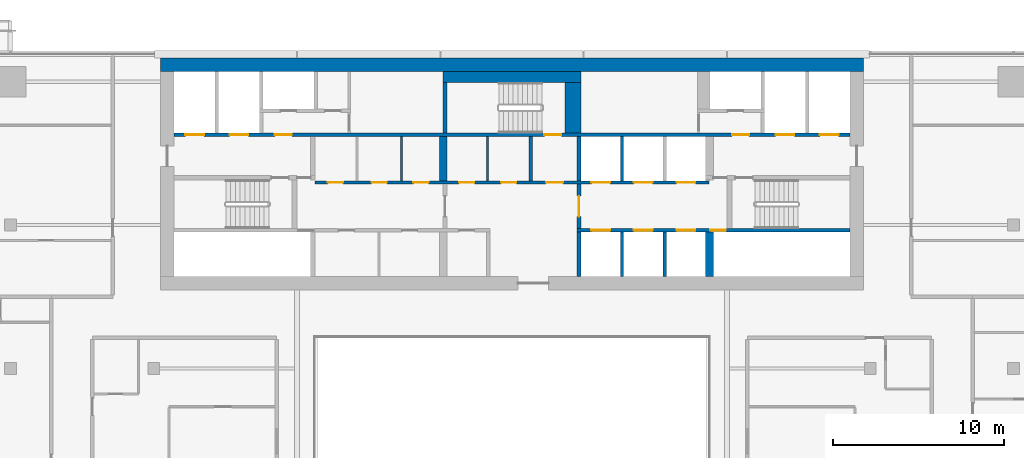
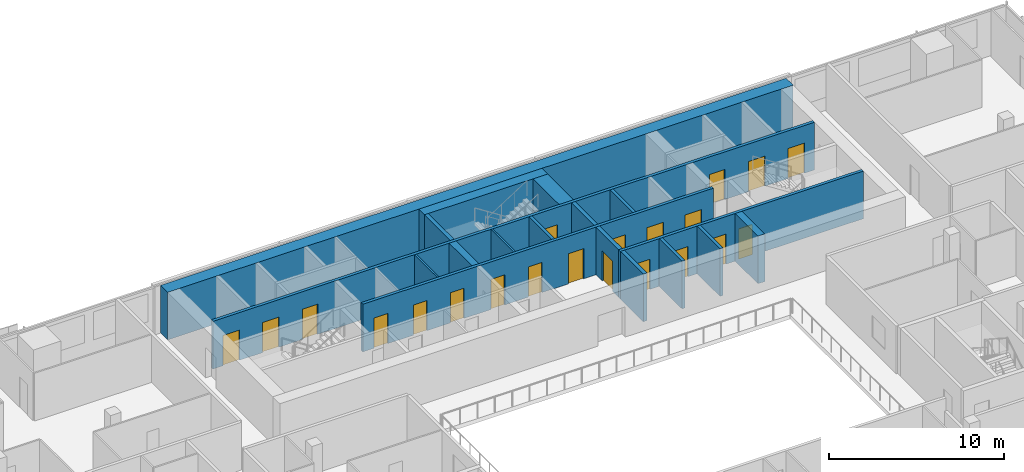
# One storey, part 22 of 30: 21 doors, 18 walls, 21 openings.
"""IFC4 building model written with IfcOpenShell, lengths in metres."""

from ifc_helpers import new_model, si_unit, direction, frame, frame_2d, origin, place, context, subcontext, project, spatial, rectangle, extrude, material, layer, layer_set, type_object, element, fill, save


model = new_model("IFC4")

# Units and contexts
model_context = context("Model", 3, precision=1e-05, world=origin(), true_north=direction((0.0, 1.0)))
body_context = subcontext(model_context, "Body", "Model", "MODEL_VIEW")
ifc_project = project(units=[si_unit("LENGTHUNIT", "METRE"), si_unit("AREAUNIT", "SQUARE_METRE"), si_unit("VOLUMEUNIT", "CUBIC_METRE"), si_unit("PLANEANGLEUNIT", "RADIAN"), si_unit("MASSUNIT", "GRAM", prefix="KILO")], contexts=[model_context])

# Site, building, storey
site_placement = place(None, origin())
site = spatial("IfcSite", under=ifc_project, at=site_placement, CompositionType="ELEMENT")
building_placement = place(site_placement, origin())
building = spatial("IfcBuilding", under=site, at=building_placement, Name="Saffron Gate Tower", CompositionType="ELEMENT")
storey_placement = place(building_placement, frame((0.0, 0.0, 179.85009765625)))
storey = spatial("IfcBuildingStorey", under=building, at=storey_placement, Name="L44", CompositionType="ELEMENT", Elevation=179.85009765625)

# Walls
ifc_material_1 = material(Name="Gypsum board partition on steel studs", Category="steel")
ifc_layer_1 = layer(ifc_material_1, 0.199951171875)
ifc_layer_set_1 = layer_set([ifc_layer_1], Name="CW10 Core partition 200")
wall_type_1 = type_object("IfcWallType", Name="CW10 Core partition 200", PredefinedType="PARTITIONING", material=ifc_layer_set_1)
wall_1_placement = place(storey_placement, frame((88.699951171875, 68.0, 0.0), z_axis=(0.0, 0.0, 1.0), x_axis=(0.0, 1.0, 0.0)))
element("IfcWall", 1, at=wall_1_placement, inside=storey, type_object=wall_type_1, Name="Wall CW10-L44-24", PredefinedType="PARTITIONING", context=body_context, shape_type="SweptSolid", body=[
    extrude(rectangle(XDim=2.60009765625, YDim=0.199951171875, at=frame_2d((1.300048828125, 0.0))), origin(), (0.0, 0.0, 1.0), 3.31982421875),
])
ifc_material_2 = material(Name="Concrete C60", Category="concrete")
ifc_layer_2 = layer(ifc_material_2, 0.800048828125)
ifc_layer_set_2 = layer_set([ifc_layer_2], Name="CW13 RC core wall 800 C60")
wall_type_2 = type_object("IfcWallType", Name="CW13 RC core wall 800 C60", PredefinedType="SOLIDWALL", material=ifc_layer_set_2)
wall_2_placement = place(storey_placement, frame((67.0, 74.800048828125, 0.0), z_axis=(0.0, 0.0, 1.0), x_axis=(1.0, 0.0, 0.0)))
element("IfcWall", 2, at=wall_2_placement, inside=storey, type_object=wall_type_2, Name="Wall CW13-L44-2", PredefinedType="SOLIDWALL", context=body_context, shape_type="SweptSolid", body=[
    extrude(rectangle(XDim=41.199951171875, YDim=0.800048828125, at=frame_2d((20.60009765625, 0.0))), origin(), (0.0, 0.0, 1.0), 3.31982421875),
])
ifc_layer_3 = layer(ifc_material_2, 0.25)
ifc_layer_set_3 = layer_set([ifc_layer_3], Name="CW14 RC core wall 250 C60")
wall_type_3 = type_object("IfcWallType", Name="CW14 RC core wall 250 C60", PredefinedType="SOLIDWALL", material=ifc_layer_set_3)
wall_3_placement = place(storey_placement, frame((91.52490234375, 62.39990234375, 0.0), z_axis=(0.0, 0.0, 1.0), x_axis=(0.0, 1.0, 0.0)))
element("IfcWall", 3, at=wall_3_placement, inside=storey, type_object=wall_type_3, Name="Wall CW14-L44-9", PredefinedType="SOLIDWALL", context=body_context, shape_type="SweptSolid", body=[
    extrude(rectangle(XDim=2.60009765625, YDim=0.25, at=frame_2d((1.300048828125, 0.0))), origin(), (0.0, 0.0, 1.0), 3.31982421875),
])

# Wall, opening, door
wall_4_placement = place(storey_placement, frame((91.52490234375, 65.199951171875, 0.0), z_axis=(0.0, 0.0, 1.0), x_axis=(0.0, 1.0, 0.0)))
wall_4 = element("IfcWall", 4, at=wall_4_placement, inside=storey, type_object=wall_type_3, Name="Wall CW14-L44-17", PredefinedType="SOLIDWALL", context=body_context, shape_type="SweptSolid", body=[
    extrude(rectangle(XDim=2.60009765625, YDim=0.25, at=frame_2d((1.300048828125, 0.0))), origin(), (0.0, 0.0, 1.0), 3.31982421875),
])
opening_1_placement = place(wall_4_placement, frame((0.699951171875, 0.0, 0.0)))
opening_1 = element("IfcOpeningElement", 5, at=opening_1_placement, cuts=wall_4, Name="Opening CR-01", PredefinedType="OPENING", context=body_context, shape_type="SweptSolid", body=[
    extrude(rectangle(XDim=1.199951171875, YDim=2.10009765625, at=frame_2d((0.60009765625, 1.050048828125))), frame((0.0, 0.135009765625, 0.0), z_axis=(0.0, -1.0, 0.0), x_axis=(1.0, 0.0, 0.0)), (0.0, 0.0, 1.0), 0.27001953125),
])
ifc_material_3 = material(Name="Steel fire door set", Category="steel")
door_type_1 = type_object("IfcDoorType", Name="CD3 Lobby door 1200x2100 EI 120", OperationType="NOTDEFINED", PredefinedType="DOOR", material=ifc_material_3)
door_1_placement = place(opening_1_placement, origin())
door_1 = element("IfcDoor", 6, at=door_1_placement, inside=storey, type_object=door_type_1, Name="DOOR CR-01", OperationType="SINGLE_SWING_RIGHT", OverallHeight=2.10009765625, OverallWidth=1.199951171875, PredefinedType="DOOR", context=body_context, shape_type="SweptSolid", body=[
    extrude(rectangle(XDim=1.199951171875, YDim=2.10009765625, at=frame_2d((0.60009765625, 1.050048828125))), frame((0.0, 0.02490234375, 0.0), z_axis=(0.0, -1.0, 0.0), x_axis=(1.0, 0.0, 0.0)), (0.0, 0.0, 1.0), 0.050048828125),
])
fill(opening_1, door_1)

# Walls
wall_5_placement = place(storey_placement, frame((91.52490234375, 68.0, 0.0), z_axis=(0.0, 0.0, 1.0), x_axis=(0.0, 1.0, 0.0)))
element("IfcWall", 7, at=wall_5_placement, inside=storey, type_object=wall_type_3, Name="Wall CW14-L44-25", PredefinedType="SOLIDWALL", context=body_context, shape_type="SweptSolid", body=[
    extrude(rectangle(XDim=2.60009765625, YDim=0.25, at=frame_2d((1.300048828125, 0.0))), origin(), (0.0, 0.0, 1.0), 3.31982421875),
])
wall_6_placement = place(storey_placement, frame((83.675048828125, 70.800048828125, 0.0), z_axis=(0.0, 0.0, 1.0), x_axis=(0.0, 1.0, 0.0)))
element("IfcWall", 8, at=wall_6_placement, inside=storey, type_object=wall_type_3, Name="Wall CW14-L44-37", PredefinedType="SOLIDWALL", context=body_context, shape_type="SweptSolid", body=[
    extrude(rectangle(XDim=2.949951171875, YDim=0.25, at=frame_2d((1.47509765625, 0.0))), origin(), (0.0, 0.0, 1.0), 3.31982421875),
])
ifc_layer_4 = layer(ifc_material_2, 0.199951171875)
ifc_layer_set_4 = layer_set([ifc_layer_4], Name="CW15 RC core wall 200 C60")
wall_type_4 = type_object("IfcWallType", Name="CW15 RC core wall 200 C60", PredefinedType="SOLIDWALL", material=ifc_layer_set_4)
for number, where, z_axis, x_axis, name in (
    (9, (94.050048828125, 62.39990234375, 0.0), (0.0, 0.0, 1.0), (0.0, 1.0, 0.0), "Wall CW15-L44-10"),
    (10, (96.550048828125, 62.39990234375, 0.0), (0.0, 0.0, 1.0), (0.0, 1.0, 0.0), "Wall CW15-L44-11"),
):
    element("IfcWall", number, at=place(storey_placement, frame(where, z_axis=z_axis, x_axis=x_axis)), inside=storey, type_object=wall_type_4, Name=name, PredefinedType="SOLIDWALL", context=body_context, shape_type="SweptSolid", body=[
        extrude(rectangle(XDim=2.60009765625, YDim=0.199951171875, at=frame_2d((1.300048828125, 0.0))), origin(), (0.0, 0.0, 1.0), 3.31982421875),
    ])

# Wall, openings, doors
wall_7_placement = place(storey_placement, frame((91.39990234375, 65.10009765625, 0.0), z_axis=(0.0, 0.0, 1.0), x_axis=(1.0, 0.0, 0.0)))
wall_7 = element("IfcWall", 11, at=wall_7_placement, inside=storey, type_object=wall_type_4, Name="Wall CW15-L44-14", PredefinedType="SOLIDWALL", context=body_context, shape_type="SweptSolid", body=[
    extrude(rectangle(XDim=16.0, YDim=0.199951171875, at=frame_2d((8.0, 0.0))), origin(), (0.0, 0.0, 1.0), 3.31982421875),
])
opening_2_placement = place(wall_7_placement, frame((0.85009765625, 0.0, 0.0)))
opening_2 = element("IfcOpeningElement", 12, at=opening_2_placement, cuts=wall_7, Name="Opening LD-HR1", PredefinedType="OPENING", context=body_context, shape_type="SweptSolid", body=[
    extrude(rectangle(XDim=1.10009765625, YDim=2.10009765625, at=frame_2d((0.550048828125, 1.050048828125))), frame((0.0, 0.10986328125, 0.0), z_axis=(0.0, -1.0, 0.0), x_axis=(1.0, 0.0, 0.0)), (0.0, 0.0, 1.0), 0.219970703125),
])
opening_3_placement = place(wall_7_placement, frame((3.35009765625, 0.0, 0.0)))
opening_3 = element("IfcOpeningElement", 13, at=opening_3_placement, cuts=wall_7, Name="Opening LD-HR2", PredefinedType="OPENING", context=body_context, shape_type="SweptSolid", body=[
    extrude(rectangle(XDim=1.10009765625, YDim=2.10009765625, at=frame_2d((0.550048828125, 1.050048828125))), frame((0.0, 0.10986328125, 0.0), z_axis=(0.0, -1.0, 0.0), x_axis=(1.0, 0.0, 0.0)), (0.0, 0.0, 1.0), 0.219970703125),
])
opening_4_placement = place(wall_7_placement, frame((5.85009765625, 0.0, 0.0)))
opening_4 = element("IfcOpeningElement", 14, at=opening_4_placement, cuts=wall_7, Name="Opening LD-HR3", PredefinedType="OPENING", context=body_context, shape_type="SweptSolid", body=[
    extrude(rectangle(XDim=1.10009765625, YDim=2.10009765625, at=frame_2d((0.550048828125, 1.050048828125))), frame((0.0, 0.10986328125, 0.0), z_axis=(0.0, -1.0, 0.0), x_axis=(1.0, 0.0, 0.0)), (0.0, 0.0, 1.0), 0.219970703125),
])
opening_5_placement = place(wall_7_placement, frame((7.830078125, 0.0, 0.0)))
opening_5 = element("IfcOpeningElement", 15, at=opening_5_placement, cuts=wall_7, Name="Opening CR-48", PredefinedType="OPENING", context=body_context, shape_type="SweptSolid", body=[
    extrude(rectangle(XDim=0.89990234375, YDim=2.10009765625, at=frame_2d((0.449951171875, 1.050048828125))), frame((0.0, 0.10986328125, 0.0), z_axis=(0.0, -1.0, 0.0), x_axis=(1.0, 0.0, 0.0)), (0.0, 0.0, 1.0), 0.219970703125),
])
door_type_2 = type_object("IfcDoorType", Name="CD2 Riser door 900x2100 EI 60", OperationType="NOTDEFINED", PredefinedType="DOOR", material=ifc_material_3)
door_2_placement = place(opening_5_placement, origin())
door_2 = element("IfcDoor", 16, at=door_2_placement, inside=storey, type_object=door_type_2, Name="DOOR CR-48", OperationType="SINGLE_SWING_RIGHT", OverallHeight=2.10009765625, OverallWidth=0.89990234375, PredefinedType="DOOR", context=body_context, shape_type="SweptSolid", body=[
    extrude(rectangle(XDim=0.89990234375, YDim=2.10009765625, at=frame_2d((0.449951171875, 1.050048828125))), frame((0.0, 0.02490234375, 0.0), z_axis=(0.0, -1.0, 0.0), x_axis=(1.0, 0.0, 0.0)), (0.0, 0.0, 1.0), 0.050048828125),
])
fill(opening_5, door_2)
ifc_material_4 = material(Name="Stainless steel landing door", Category="steel")
door_type_3 = type_object("IfcDoorType", Name="LD Lift landing door 1100x2100 EI 120", OperationType="SLIDING_TO_LEFT", PredefinedType="DOOR", material=ifc_material_4)
door_3_placement = place(opening_2_placement, origin())
door_3 = element("IfcDoor", 17, at=door_3_placement, inside=storey, type_object=door_type_3, Name="LANDING DOOR LD-HR1", OperationType="SLIDING_TO_LEFT", OverallHeight=2.10009765625, OverallWidth=1.10009765625, PredefinedType="DOOR", context=body_context, shape_type="SweptSolid", body=[
    extrude(rectangle(XDim=1.10009765625, YDim=2.10009765625, at=frame_2d((0.550048828125, 1.050048828125))), frame((0.0, 0.02490234375, 0.0), z_axis=(0.0, -1.0, 0.0), x_axis=(1.0, 0.0, 0.0)), (0.0, 0.0, 1.0), 0.050048828125),
])
fill(opening_2, door_3)
door_4_placement = place(opening_3_placement, origin())
door_4 = element("IfcDoor", 18, at=door_4_placement, inside=storey, type_object=door_type_3, Name="LANDING DOOR LD-HR2", OperationType="SLIDING_TO_LEFT", OverallHeight=2.10009765625, OverallWidth=1.10009765625, PredefinedType="DOOR", context=body_context, shape_type="SweptSolid", body=[
    extrude(rectangle(XDim=1.10009765625, YDim=2.10009765625, at=frame_2d((0.550048828125, 1.050048828125))), frame((0.0, 0.02490234375, 0.0), z_axis=(0.0, -1.0, 0.0), x_axis=(1.0, 0.0, 0.0)), (0.0, 0.0, 1.0), 0.050048828125),
])
fill(opening_3, door_4)
door_5_placement = place(opening_4_placement, origin())
door_5 = element("IfcDoor", 19, at=door_5_placement, inside=storey, type_object=door_type_3, Name="LANDING DOOR LD-HR3", OperationType="SLIDING_TO_LEFT", OverallHeight=2.10009765625, OverallWidth=1.10009765625, PredefinedType="DOOR", context=body_context, shape_type="SweptSolid", body=[
    extrude(rectangle(XDim=1.10009765625, YDim=2.10009765625, at=frame_2d((0.550048828125, 1.050048828125))), frame((0.0, 0.02490234375, 0.0), z_axis=(0.0, -1.0, 0.0), x_axis=(1.0, 0.0, 0.0)), (0.0, 0.0, 1.0), 0.050048828125),
])
fill(opening_4, door_5)

wall_8_placement = place(storey_placement, frame((76.050048828125, 67.89990234375, 0.0), z_axis=(0.0, 0.0, 1.0), x_axis=(1.0, 0.0, 0.0)))
wall_8 = element("IfcWall", 20, at=wall_8_placement, inside=storey, type_object=wall_type_4, Name="Wall CW15-L44-19", PredefinedType="SOLIDWALL", context=body_context, shape_type="SweptSolid", body=[
    extrude(rectangle(XDim=23.099853515625, YDim=0.199951171875, at=frame_2d((11.5498046875, 0.0))), origin(), (0.0, 0.0, 1.0), 3.31982421875),
])
opening_6_placement = place(wall_8_placement, frame((0.75, 0.0, 0.0)))
opening_6 = element("IfcOpeningElement", 21, at=opening_6_placement, cuts=wall_8, Name="Opening CR-61", PredefinedType="OPENING", context=body_context, shape_type="SweptSolid", body=[
    extrude(rectangle(XDim=0.89990234375, YDim=2.10009765625, at=frame_2d((0.449951171875, 1.050048828125))), frame((0.0, 0.10986328125, 0.0), z_axis=(0.0, -1.0, 0.0), x_axis=(1.0, 0.0, 0.0)), (0.0, 0.0, 1.0), 0.219970703125),
])
opening_7_placement = place(wall_8_placement, frame((3.320068359375, 0.0, 0.0)))
opening_7 = element("IfcOpeningElement", 22, at=opening_7_placement, cuts=wall_8, Name="Opening CR-62", PredefinedType="OPENING", context=body_context, shape_type="SweptSolid", body=[
    extrude(rectangle(XDim=0.89990234375, YDim=2.10009765625, at=frame_2d((0.449951171875, 1.050048828125))), frame((0.0, 0.10986328125, 0.0), z_axis=(0.0, -1.0, 0.0), x_axis=(1.0, 0.0, 0.0)), (0.0, 0.0, 1.0), 0.219970703125),
])
opening_8_placement = place(wall_8_placement, frame((5.77001953125, 0.0, 0.0)))
opening_8 = element("IfcOpeningElement", 23, at=opening_8_placement, cuts=wall_8, Name="Opening CR-63", PredefinedType="OPENING", context=body_context, shape_type="SweptSolid", body=[
    extrude(rectangle(XDim=0.89990234375, YDim=2.10009765625, at=frame_2d((0.449951171875, 1.050048828125))), frame((0.0, 0.10986328125, 0.0), z_axis=(0.0, -1.0, 0.0), x_axis=(1.0, 0.0, 0.0)), (0.0, 0.0, 1.0), 0.219970703125),
])
opening_9_placement = place(wall_8_placement, frame((8.449951171875, 0.0, 0.0)))
opening_9 = element("IfcOpeningElement", 24, at=opening_9_placement, cuts=wall_8, Name="Opening CR-67", PredefinedType="OPENING", context=body_context, shape_type="SweptSolid", body=[
    extrude(rectangle(XDim=0.89990234375, YDim=2.10009765625, at=frame_2d((0.449951171875, 1.050048828125))), frame((0.0, 0.10986328125, 0.0), z_axis=(0.0, -1.0, 0.0), x_axis=(1.0, 0.0, 0.0)), (0.0, 0.0, 1.0), 0.219970703125),
])
opening_10_placement = place(wall_8_placement, frame((10.909912109375, 0.0, 0.0)))
opening_10 = element("IfcOpeningElement", 25, at=opening_10_placement, cuts=wall_8, Name="Opening CR-68", PredefinedType="OPENING", context=body_context, shape_type="SweptSolid", body=[
    extrude(rectangle(XDim=0.89990234375, YDim=2.10009765625, at=frame_2d((0.449951171875, 1.050048828125))), frame((0.0, 0.10986328125, 0.0), z_axis=(0.0, -1.0, 0.0), x_axis=(1.0, 0.0, 0.0)), (0.0, 0.0, 1.0), 0.219970703125),
])
opening_11_placement = place(wall_8_placement, frame((13.550048828125, 0.0, 0.0)))
opening_11 = element("IfcOpeningElement", 26, at=opening_11_placement, cuts=wall_8, Name="Opening CR-02", PredefinedType="OPENING", context=body_context, shape_type="SweptSolid", body=[
    extrude(rectangle(XDim=1.0, YDim=2.10009765625, at=frame_2d((0.5, 1.050048828125))), frame((0.0, 0.10986328125, 0.0), z_axis=(0.0, -1.0, 0.0), x_axis=(1.0, 0.0, 0.0)), (0.0, 0.0, 1.0), 0.219970703125),
])
opening_12_placement = place(wall_8_placement, frame((16.199951171875, 0.0, 0.0)))
opening_12 = element("IfcOpeningElement", 27, at=opening_12_placement, cuts=wall_8, Name="Opening LD-HR4", PredefinedType="OPENING", context=body_context, shape_type="SweptSolid", body=[
    extrude(rectangle(XDim=1.10009765625, YDim=2.10009765625, at=frame_2d((0.550048828125, 1.050048828125))), frame((0.0, 0.10986328125, 0.0), z_axis=(0.0, -1.0, 0.0), x_axis=(1.0, 0.0, 0.0)), (0.0, 0.0, 1.0), 0.219970703125),
])
opening_13_placement = place(wall_8_placement, frame((18.699951171875, 0.0, 0.0)))
opening_13 = element("IfcOpeningElement", 28, at=opening_13_placement, cuts=wall_8, Name="Opening LD-HR5", PredefinedType="OPENING", context=body_context, shape_type="SweptSolid", body=[
    extrude(rectangle(XDim=1.10009765625, YDim=2.10009765625, at=frame_2d((0.550048828125, 1.050048828125))), frame((0.0, 0.10986328125, 0.0), z_axis=(0.0, -1.0, 0.0), x_axis=(1.0, 0.0, 0.0)), (0.0, 0.0, 1.0), 0.219970703125),
])
opening_14_placement = place(wall_8_placement, frame((21.199951171875, 0.0, 0.0)))
opening_14 = element("IfcOpeningElement", 29, at=opening_14_placement, cuts=wall_8, Name="Opening LD-HR6", PredefinedType="OPENING", context=body_context, shape_type="SweptSolid", body=[
    extrude(rectangle(XDim=1.10009765625, YDim=2.10009765625, at=frame_2d((0.550048828125, 1.050048828125))), frame((0.0, 0.10986328125, 0.0), z_axis=(0.0, -1.0, 0.0), x_axis=(1.0, 0.0, 0.0)), (0.0, 0.0, 1.0), 0.219970703125),
])
door_type_4 = type_object("IfcDoorType", Name="CD4 Lobby door 1000x2100 EI 120", OperationType="NOTDEFINED", PredefinedType="DOOR", material=ifc_material_3)
door_6_placement = place(opening_11_placement, origin())
door_6 = element("IfcDoor", 30, at=door_6_placement, inside=storey, type_object=door_type_4, Name="DOOR CR-02", OperationType="SINGLE_SWING_LEFT", OverallHeight=2.10009765625, OverallWidth=1.0, PredefinedType="DOOR", context=body_context, shape_type="SweptSolid", body=[
    extrude(rectangle(XDim=1.0, YDim=2.10009765625, at=frame_2d((0.5, 1.050048828125))), frame((0.0, 0.02490234375, 0.0), z_axis=(0.0, -1.0, 0.0), x_axis=(1.0, 0.0, 0.0)), (0.0, 0.0, 1.0), 0.050048828125),
])
fill(opening_11, door_6)
door_type_5 = type_object("IfcDoorType", Name="CD9 Room door 900x2100 EI 60", OperationType="NOTDEFINED", PredefinedType="DOOR", material=ifc_material_3)
door_7_placement = place(opening_6_placement, origin())
door_7 = element("IfcDoor", 31, at=door_7_placement, inside=storey, type_object=door_type_5, Name="DOOR CR-61", OperationType="SINGLE_SWING_LEFT", OverallHeight=2.10009765625, OverallWidth=0.89990234375, PredefinedType="DOOR", context=body_context, shape_type="SweptSolid", body=[
    extrude(rectangle(XDim=0.89990234375, YDim=2.10009765625, at=frame_2d((0.449951171875, 1.050048828125))), frame((0.0, 0.02490234375, 0.0), z_axis=(0.0, -1.0, 0.0), x_axis=(1.0, 0.0, 0.0)), (0.0, 0.0, 1.0), 0.050048828125),
])
fill(opening_6, door_7)
door_8_placement = place(opening_7_placement, origin())
door_8 = element("IfcDoor", 32, at=door_8_placement, inside=storey, type_object=door_type_5, Name="DOOR CR-62", OperationType="SINGLE_SWING_LEFT", OverallHeight=2.10009765625, OverallWidth=0.89990234375, PredefinedType="DOOR", context=body_context, shape_type="SweptSolid", body=[
    extrude(rectangle(XDim=0.89990234375, YDim=2.10009765625, at=frame_2d((0.449951171875, 1.050048828125))), frame((0.0, 0.02490234375, 0.0), z_axis=(0.0, -1.0, 0.0), x_axis=(1.0, 0.0, 0.0)), (0.0, 0.0, 1.0), 0.050048828125),
])
fill(opening_7, door_8)
door_9_placement = place(opening_8_placement, origin())
door_9 = element("IfcDoor", 33, at=door_9_placement, inside=storey, type_object=door_type_5, Name="DOOR CR-63", OperationType="SINGLE_SWING_LEFT", OverallHeight=2.10009765625, OverallWidth=0.89990234375, PredefinedType="DOOR", context=body_context, shape_type="SweptSolid", body=[
    extrude(rectangle(XDim=0.89990234375, YDim=2.10009765625, at=frame_2d((0.449951171875, 1.050048828125))), frame((0.0, 0.02490234375, 0.0), z_axis=(0.0, -1.0, 0.0), x_axis=(1.0, 0.0, 0.0)), (0.0, 0.0, 1.0), 0.050048828125),
])
fill(opening_8, door_9)
door_10_placement = place(opening_9_placement, origin())
door_10 = element("IfcDoor", 34, at=door_10_placement, inside=storey, type_object=door_type_5, Name="DOOR CR-67", OperationType="SINGLE_SWING_LEFT", OverallHeight=2.10009765625, OverallWidth=0.89990234375, PredefinedType="DOOR", context=body_context, shape_type="SweptSolid", body=[
    extrude(rectangle(XDim=0.89990234375, YDim=2.10009765625, at=frame_2d((0.449951171875, 1.050048828125))), frame((0.0, 0.02490234375, 0.0), z_axis=(0.0, -1.0, 0.0), x_axis=(1.0, 0.0, 0.0)), (0.0, 0.0, 1.0), 0.050048828125),
])
fill(opening_9, door_10)
door_11_placement = place(opening_10_placement, origin())
door_11 = element("IfcDoor", 35, at=door_11_placement, inside=storey, type_object=door_type_5, Name="DOOR CR-68", OperationType="SINGLE_SWING_LEFT", OverallHeight=2.10009765625, OverallWidth=0.89990234375, PredefinedType="DOOR", context=body_context, shape_type="SweptSolid", body=[
    extrude(rectangle(XDim=0.89990234375, YDim=2.10009765625, at=frame_2d((0.449951171875, 1.050048828125))), frame((0.0, 0.02490234375, 0.0), z_axis=(0.0, -1.0, 0.0), x_axis=(1.0, 0.0, 0.0)), (0.0, 0.0, 1.0), 0.050048828125),
])
fill(opening_10, door_11)
door_12_placement = place(opening_12_placement, origin())
door_12 = element("IfcDoor", 36, at=door_12_placement, inside=storey, type_object=door_type_3, Name="LANDING DOOR LD-HR4", OperationType="SLIDING_TO_RIGHT", OverallHeight=2.10009765625, OverallWidth=1.10009765625, PredefinedType="DOOR", context=body_context, shape_type="SweptSolid", body=[
    extrude(rectangle(XDim=1.10009765625, YDim=2.10009765625, at=frame_2d((0.550048828125, 1.050048828125))), frame((0.0, 0.02490234375, 0.0), z_axis=(0.0, -1.0, 0.0), x_axis=(1.0, 0.0, 0.0)), (0.0, 0.0, 1.0), 0.050048828125),
])
fill(opening_12, door_12)
door_13_placement = place(opening_13_placement, origin())
door_13 = element("IfcDoor", 37, at=door_13_placement, inside=storey, type_object=door_type_3, Name="LANDING DOOR LD-HR5", OperationType="SLIDING_TO_RIGHT", OverallHeight=2.10009765625, OverallWidth=1.10009765625, PredefinedType="DOOR", context=body_context, shape_type="SweptSolid", body=[
    extrude(rectangle(XDim=1.10009765625, YDim=2.10009765625, at=frame_2d((0.550048828125, 1.050048828125))), frame((0.0, 0.02490234375, 0.0), z_axis=(0.0, -1.0, 0.0), x_axis=(1.0, 0.0, 0.0)), (0.0, 0.0, 1.0), 0.050048828125),
])
fill(opening_13, door_13)
door_14_placement = place(opening_14_placement, origin())
door_14 = element("IfcDoor", 38, at=door_14_placement, inside=storey, type_object=door_type_3, Name="LANDING DOOR LD-HR6", OperationType="SLIDING_TO_RIGHT", OverallHeight=2.10009765625, OverallWidth=1.10009765625, PredefinedType="DOOR", context=body_context, shape_type="SweptSolid", body=[
    extrude(rectangle(XDim=1.10009765625, YDim=2.10009765625, at=frame_2d((0.550048828125, 1.050048828125))), frame((0.0, 0.02490234375, 0.0), z_axis=(0.0, -1.0, 0.0), x_axis=(1.0, 0.0, 0.0)), (0.0, 0.0, 1.0), 0.050048828125),
])
fill(opening_14, door_14)

# Wall
wall_9_placement = place(storey_placement, frame((94.050048828125, 68.0, 0.0), z_axis=(0.0, 0.0, 1.0), x_axis=(0.0, 1.0, 0.0)))
element("IfcWall", 39, at=wall_9_placement, inside=storey, type_object=wall_type_4, Name="Wall CW15-L44-26", PredefinedType="SOLIDWALL", context=body_context, shape_type="SweptSolid", body=[
    extrude(rectangle(XDim=2.60009765625, YDim=0.199951171875, at=frame_2d((1.300048828125, 0.0))), origin(), (0.0, 0.0, 1.0), 3.31982421875),
])

# Wall, openings, doors
wall_10_placement = place(storey_placement, frame((67.800048828125, 70.699951171875, 0.0), z_axis=(0.0, 0.0, 1.0), x_axis=(1.0, 0.0, 0.0)))
wall_10 = element("IfcWall", 40, at=wall_10_placement, inside=storey, type_object=wall_type_4, Name="Wall CW15-L44-33", PredefinedType="SOLIDWALL", context=body_context, shape_type="SweptSolid", body=[
    extrude(rectangle(XDim=39.599853515625, YDim=0.199951171875, at=frame_2d((19.7998046875, 0.0))), origin(), (0.0, 0.0, 1.0), 3.31982421875),
])
opening_15_placement = place(wall_10_placement, frame((0.64990234375, 0.0, 0.0)))
opening_15 = element("IfcOpeningElement", 41, at=opening_15_placement, cuts=wall_10, Name="Opening LD-FF1", PredefinedType="OPENING", context=body_context, shape_type="SweptSolid", body=[
    extrude(rectangle(XDim=1.10009765625, YDim=2.10009765625, at=frame_2d((0.550048828125, 1.050048828125))), frame((0.0, 0.10986328125, 0.0), z_axis=(0.0, -1.0, 0.0), x_axis=(1.0, 0.0, 0.0)), (0.0, 0.0, 1.0), 0.219970703125),
])
opening_16_placement = place(wall_10_placement, frame((3.25, 0.0, 0.0)))
opening_16 = element("IfcOpeningElement", 42, at=opening_16_placement, cuts=wall_10, Name="Opening LD-SV1", PredefinedType="OPENING", context=body_context, shape_type="SweptSolid", body=[
    extrude(rectangle(XDim=1.10009765625, YDim=2.10009765625, at=frame_2d((0.550048828125, 1.050048828125))), frame((0.0, 0.10986328125, 0.0), z_axis=(0.0, -1.0, 0.0), x_axis=(1.0, 0.0, 0.0)), (0.0, 0.0, 1.0), 0.219970703125),
])
opening_17_placement = place(wall_10_placement, frame((5.89990234375, 0.0, 0.0)))
opening_17 = element("IfcOpeningElement", 43, at=opening_17_placement, cuts=wall_10, Name="Opening CR-03", PredefinedType="OPENING", context=body_context, shape_type="SweptSolid", body=[
    extrude(rectangle(XDim=1.0, YDim=2.10009765625, at=frame_2d((0.5, 1.050048828125))), frame((0.0, 0.10986328125, 0.0), z_axis=(0.0, -1.0, 0.0), x_axis=(1.0, 0.0, 0.0)), (0.0, 0.0, 1.0), 0.219970703125),
])
opening_18_placement = place(wall_10_placement, frame((21.699951171875, 0.0, 0.0)))
opening_18 = element("IfcOpeningElement", 44, at=opening_18_placement, cuts=wall_10, Name="Opening CR-17", PredefinedType="OPENING", context=body_context, shape_type="SweptSolid", body=[
    extrude(rectangle(XDim=1.0, YDim=2.10009765625, at=frame_2d((0.5, 1.050048828125))), frame((0.0, 0.10986328125, 0.0), z_axis=(0.0, -1.0, 0.0), x_axis=(1.0, 0.0, 0.0)), (0.0, 0.0, 1.0), 0.219970703125),
])
opening_19_placement = place(wall_10_placement, frame((32.699951171875, 0.0, 0.0)))
opening_19 = element("IfcOpeningElement", 45, at=opening_19_placement, cuts=wall_10, Name="Opening CR-04", PredefinedType="OPENING", context=body_context, shape_type="SweptSolid", body=[
    extrude(rectangle(XDim=1.0, YDim=2.10009765625, at=frame_2d((0.5, 1.050048828125))), frame((0.0, 0.10986328125, 0.0), z_axis=(0.0, -1.0, 0.0), x_axis=(1.0, 0.0, 0.0)), (0.0, 0.0, 1.0), 0.219970703125),
])
opening_20_placement = place(wall_10_placement, frame((35.25, 0.0, 0.0)))
opening_20 = element("IfcOpeningElement", 46, at=opening_20_placement, cuts=wall_10, Name="Opening LD-SV2", PredefinedType="OPENING", context=body_context, shape_type="SweptSolid", body=[
    extrude(rectangle(XDim=1.10009765625, YDim=2.10009765625, at=frame_2d((0.550048828125, 1.050048828125))), frame((0.0, 0.10986328125, 0.0), z_axis=(0.0, -1.0, 0.0), x_axis=(1.0, 0.0, 0.0)), (0.0, 0.0, 1.0), 0.219970703125),
])
opening_21_placement = place(wall_10_placement, frame((37.85009765625, 0.0, 0.0)))
opening_21 = element("IfcOpeningElement", 47, at=opening_21_placement, cuts=wall_10, Name="Opening LD-FF2", PredefinedType="OPENING", context=body_context, shape_type="SweptSolid", body=[
    extrude(rectangle(XDim=1.10009765625, YDim=2.10009765625, at=frame_2d((0.550048828125, 1.050048828125))), frame((0.0, 0.10986328125, 0.0), z_axis=(0.0, -1.0, 0.0), x_axis=(1.0, 0.0, 0.0)), (0.0, 0.0, 1.0), 0.219970703125),
])
door_15_placement = place(opening_17_placement, origin())
door_15 = element("IfcDoor", 48, at=door_15_placement, inside=storey, type_object=door_type_4, Name="DOOR CR-03", OperationType="SINGLE_SWING_LEFT", OverallHeight=2.10009765625, OverallWidth=1.0, PredefinedType="DOOR", context=body_context, shape_type="SweptSolid", body=[
    extrude(rectangle(XDim=1.0, YDim=2.10009765625, at=frame_2d((0.5, 1.050048828125))), frame((0.0, 0.02490234375, 0.0), z_axis=(0.0, -1.0, 0.0), x_axis=(1.0, 0.0, 0.0)), (0.0, 0.0, 1.0), 0.050048828125),
])
fill(opening_17, door_15)
door_16_placement = place(opening_19_placement, origin())
door_16 = element("IfcDoor", 49, at=door_16_placement, inside=storey, type_object=door_type_4, Name="DOOR CR-04", OperationType="SINGLE_SWING_RIGHT", OverallHeight=2.10009765625, OverallWidth=1.0, PredefinedType="DOOR", context=body_context, shape_type="SweptSolid", body=[
    extrude(rectangle(XDim=1.0, YDim=2.10009765625, at=frame_2d((0.5, 1.050048828125))), frame((0.0, 0.02490234375, 0.0), z_axis=(0.0, -1.0, 0.0), x_axis=(1.0, 0.0, 0.0)), (0.0, 0.0, 1.0), 0.050048828125),
])
fill(opening_19, door_16)
door_type_6 = type_object("IfcDoorType", Name="CD5 Stair door 1000x2100 EI 120", OperationType="NOTDEFINED", PredefinedType="DOOR", material=ifc_material_3)
door_17_placement = place(opening_18_placement, origin())
door_17 = element("IfcDoor", 50, at=door_17_placement, inside=storey, type_object=door_type_6, Name="DOOR CR-17", OperationType="SINGLE_SWING_RIGHT", OverallHeight=2.10009765625, OverallWidth=1.0, PredefinedType="DOOR", context=body_context, shape_type="SweptSolid", body=[
    extrude(rectangle(XDim=1.0, YDim=2.10009765625, at=frame_2d((0.5, 1.050048828125))), frame((0.0, 0.02490234375, 0.0), z_axis=(0.0, -1.0, 0.0), x_axis=(1.0, 0.0, 0.0)), (0.0, 0.0, 1.0), 0.050048828125),
])
fill(opening_18, door_17)
door_18_placement = place(opening_15_placement, origin())
door_18 = element("IfcDoor", 51, at=door_18_placement, inside=storey, type_object=door_type_3, Name="LANDING DOOR LD-FF1", OperationType="SLIDING_TO_RIGHT", OverallHeight=2.10009765625, OverallWidth=1.10009765625, PredefinedType="DOOR", context=body_context, shape_type="SweptSolid", body=[
    extrude(rectangle(XDim=1.10009765625, YDim=2.10009765625, at=frame_2d((0.550048828125, 1.050048828125))), frame((0.0, 0.02490234375, 0.0), z_axis=(0.0, -1.0, 0.0), x_axis=(1.0, 0.0, 0.0)), (0.0, 0.0, 1.0), 0.050048828125),
])
fill(opening_15, door_18)
door_19_placement = place(opening_16_placement, origin())
door_19 = element("IfcDoor", 52, at=door_19_placement, inside=storey, type_object=door_type_3, Name="LANDING DOOR LD-SV1", OperationType="SLIDING_TO_RIGHT", OverallHeight=2.10009765625, OverallWidth=1.10009765625, PredefinedType="DOOR", context=body_context, shape_type="SweptSolid", body=[
    extrude(rectangle(XDim=1.10009765625, YDim=2.10009765625, at=frame_2d((0.550048828125, 1.050048828125))), frame((0.0, 0.02490234375, 0.0), z_axis=(0.0, -1.0, 0.0), x_axis=(1.0, 0.0, 0.0)), (0.0, 0.0, 1.0), 0.050048828125),
])
fill(opening_16, door_19)
door_20_placement = place(opening_20_placement, origin())
door_20 = element("IfcDoor", 53, at=door_20_placement, inside=storey, type_object=door_type_3, Name="LANDING DOOR LD-SV2", OperationType="SLIDING_TO_RIGHT", OverallHeight=2.10009765625, OverallWidth=1.10009765625, PredefinedType="DOOR", context=body_context, shape_type="SweptSolid", body=[
    extrude(rectangle(XDim=1.10009765625, YDim=2.10009765625, at=frame_2d((0.550048828125, 1.050048828125))), frame((0.0, 0.02490234375, 0.0), z_axis=(0.0, -1.0, 0.0), x_axis=(1.0, 0.0, 0.0)), (0.0, 0.0, 1.0), 0.050048828125),
])
fill(opening_20, door_20)
door_21_placement = place(opening_21_placement, origin())
door_21 = element("IfcDoor", 54, at=door_21_placement, inside=storey, type_object=door_type_3, Name="LANDING DOOR LD-FF2", OperationType="SLIDING_TO_RIGHT", OverallHeight=2.10009765625, OverallWidth=1.10009765625, PredefinedType="DOOR", context=body_context, shape_type="SweptSolid", body=[
    extrude(rectangle(XDim=1.10009765625, YDim=2.10009765625, at=frame_2d((0.550048828125, 1.050048828125))), frame((0.0, 0.02490234375, 0.0), z_axis=(0.0, -1.0, 0.0), x_axis=(1.0, 0.0, 0.0)), (0.0, 0.0, 1.0), 0.050048828125),
])
fill(opening_21, door_21)

# Walls
ifc_layer_5 = layer(ifc_material_2, 0.449951171875)
ifc_layer_set_5 = layer_set([ifc_layer_5], Name="CW16 RC core wall 450 C60")
wall_type_5 = type_object("IfcWallType", Name="CW16 RC core wall 450 C60", PredefinedType="SOLIDWALL", material=ifc_layer_set_5)
for number, where, z_axis, x_axis, name in (
    (55, (99.175048828125, 62.39990234375, 0.0), (0.0, 0.0, 1.0), (0.0, 1.0, 0.0), "Wall CW16-L44-12"),
    (56, (83.574951171875, 68.0, 0.0), (0.0, 0.0, 1.0), (0.0, 1.0, 0.0), "Wall CW16-L44-22"),
):
    element("IfcWall", number, at=place(storey_placement, frame(where, z_axis=z_axis, x_axis=x_axis)), inside=storey, type_object=wall_type_5, Name=name, PredefinedType="SOLIDWALL", context=body_context, shape_type="SweptSolid", body=[
        extrude(rectangle(XDim=2.60009765625, YDim=0.449951171875, at=frame_2d((1.300048828125, 0.0))), origin(), (0.0, 0.0, 1.0), 3.31982421875),
    ])
ifc_layer_6 = layer(ifc_material_2, 0.949951171875)
ifc_layer_set_6 = layer_set([ifc_layer_6], Name="CW19 RC core wall 950 C60")
wall_type_6 = type_object("IfcWallType", Name="CW19 RC core wall 950 C60", PredefinedType="SOLIDWALL", material=ifc_layer_set_6)
wall_11_placement = place(storey_placement, frame((91.175048828125, 70.800048828125, 0.0), z_axis=(0.0, 0.0, 1.0), x_axis=(0.0, 1.0, 0.0)))
element("IfcWall", 57, at=wall_11_placement, inside=storey, type_object=wall_type_6, Name="Wall CW19-L44-38", PredefinedType="SOLIDWALL", context=body_context, shape_type="SweptSolid", body=[
    extrude(rectangle(XDim=2.949951171875, YDim=0.949951171875, at=frame_2d((1.47509765625, 0.0))), origin(), (0.0, 0.0, 1.0), 3.31982421875),
])
ifc_layer_7 = layer(ifc_material_2, 0.64990234375)
ifc_layer_set_7 = layer_set([ifc_layer_7], Name="CW20 RC core wall 650 C60")
wall_type_7 = type_object("IfcWallType", Name="CW20 RC core wall 650 C60", PredefinedType="SOLIDWALL", material=ifc_layer_set_7)
wall_12_placement = place(storey_placement, frame((83.550048828125, 74.074951171875, 0.0), z_axis=(0.0, 0.0, 1.0), x_axis=(1.0, 0.0, 0.0)))
element("IfcWall", 58, at=wall_12_placement, inside=storey, type_object=wall_type_7, Name="Wall CW20-L44-49", PredefinedType="SOLIDWALL", context=body_context, shape_type="SweptSolid", body=[
    extrude(rectangle(XDim=8.099853515625, YDim=0.64990234375, at=frame_2d((4.0498046875, 0.0))), origin(), (0.0, 0.0, 1.0), 3.31982421875),
])
ifc_layer_8 = layer(ifc_material_1, 0.1201171875)
ifc_layer_set_8 = layer_set([ifc_layer_8], Name="CW8 Core partition 120")
wall_type_8 = type_object("IfcWallType", Name="CW8 Core partition 120", PredefinedType="PARTITIONING", material=ifc_layer_set_8)
for number, where, z_axis, x_axis, name in (
    (59, (81.1298828125, 68.0, 0.0), (0.0, 0.0, 1.0), (0.0, 1.0, 0.0), "Wall CW8-L44-21"),
    (60, (86.159912109375, 68.0, 0.0), (0.0, 0.0, 1.0), (0.0, 1.0, 0.0), "Wall CW8-L44-23"),
):
    element("IfcWall", number, at=place(storey_placement, frame(where, z_axis=z_axis, x_axis=x_axis)), inside=storey, type_object=wall_type_8, Name=name, PredefinedType="PARTITIONING", context=body_context, shape_type="SweptSolid", body=[
        extrude(rectangle(XDim=2.60009765625, YDim=0.1201171875, at=frame_2d((1.300048828125, 0.0))), origin(), (0.0, 0.0, 1.0), 3.31982421875),
    ])

save(model, "model.ifc")
